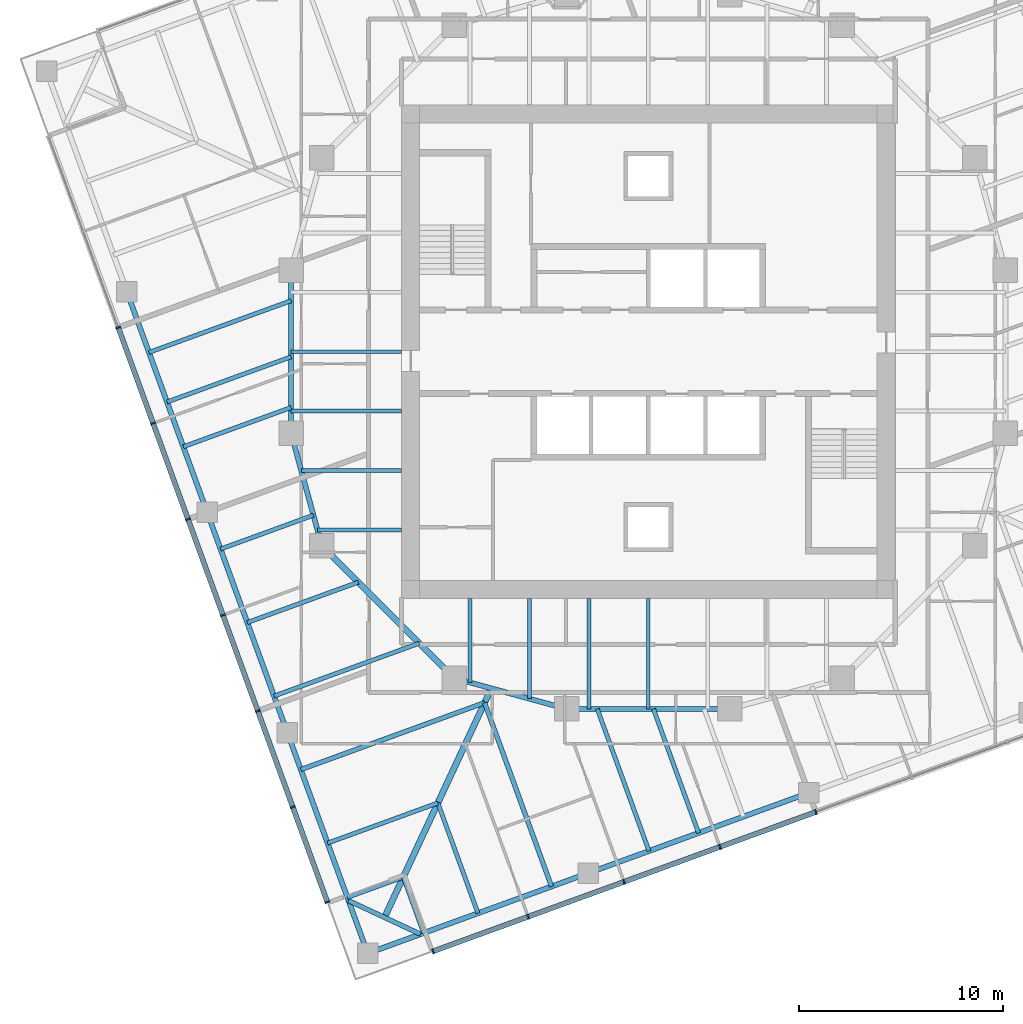
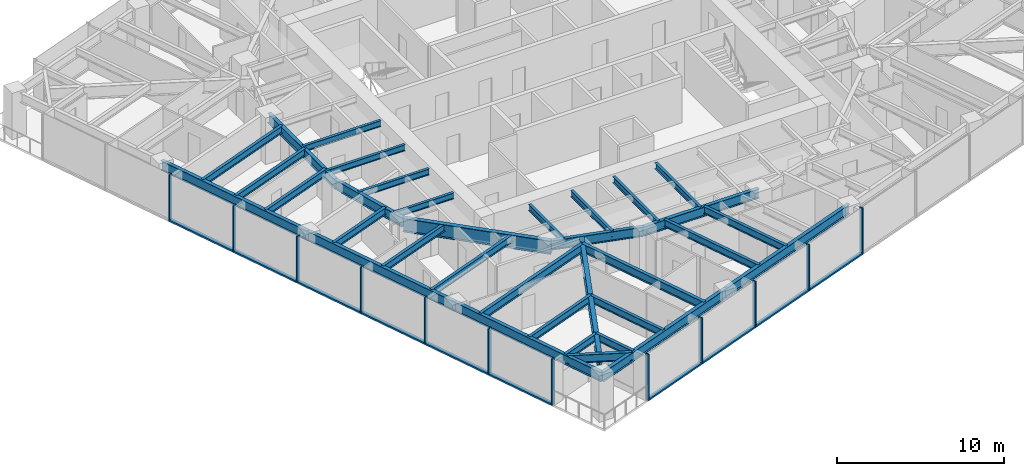
# One storey, part 2 of 13: 34 beams, 22 members, 2 elements without a shape of their own.
"""IFC4 building model written with IfcOpenShell, lengths in metres."""

from ifc_helpers import new_model, si_unit, direction, frame, origin, origin_2d, place, context, subcontext, project, spatial, rectangle, i_section, extrude, material, material_profile, profile_set, type_object, element, aggregate, save


model = new_model("IFC4")

# Units and contexts
model_context = context("Model", 3, precision=1e-05, world=origin(), true_north=direction((0.0, 1.0)))
body_context = subcontext(model_context, "Body", "Model", "MODEL_VIEW")
ifc_project = project(units=[si_unit("LENGTHUNIT", "METRE"), si_unit("AREAUNIT", "SQUARE_METRE"), si_unit("VOLUMEUNIT", "CUBIC_METRE"), si_unit("PLANEANGLEUNIT", "RADIAN"), si_unit("MASSUNIT", "GRAM", prefix="KILO")], contexts=[model_context])

# Site, building, storey
site_placement = place(None, origin())
site = spatial("IfcSite", under=ifc_project, at=site_placement, CompositionType="ELEMENT")
building_placement = place(site_placement, origin())
building = spatial("IfcBuilding", under=site, at=building_placement, Name="Torsade Residences", CompositionType="ELEMENT")
storey_placement = place(building_placement, frame((0.0, 0.0, 150.60009765625)))
storey = spatial("IfcBuildingStorey", under=building, at=storey_placement, Name="L41", CompositionType="ELEMENT", Elevation=150.60009765625)

# Beams
ifc_material_1 = material(Name="Steel grade 300", Category="steel")
ifc_material_profile_1 = material_profile(ifc_material_1, i_section(OverallWidth=0.300048828125, OverallDepth=0.89990234375, WebThickness=0.011962890625, FlangeThickness=0.02490234375, at=origin_2d()), Name="900WB175")
ifc_profile_set_1 = profile_set([ifc_material_profile_1], Name="Steel grade 300")
beam_type_1 = type_object("IfcBeamType", Name="CORNER GIRDER 900WB175", PredefinedType="BEAM", material=ifc_profile_set_1)
beam_1_placement = place(storey_placement, frame((27.075439453125, 2.282958984375, 2.7998046875), z_axis=(0.422616712682, 0.906308509373, 0.0), x_axis=(-0.906308509373, 0.422616712682, 0.0)))
element("IfcBeam", 1, at=beam_1_placement, inside=storey, type_object=beam_type_1, Name="Corner girder 01 L42", PredefinedType="BEAM", context=body_context, shape_type="SweptSolid", body=[
    extrude(i_section(OverallWidth=0.300048828125, OverallDepth=0.89990234375, WebThickness=0.011962890625, FlangeThickness=0.02490234375, at=origin_2d()), origin(), (0.0, 0.0, 1.0), 12.3837890625),
])
ifc_material_2 = material(Name="Steel grade 300", Category="steel")
ifc_material_profile_2 = material_profile(ifc_material_2, i_section(OverallWidth=0.22802734375, OverallDepth=0.60205078125, WebThickness=0.010498046875, FlangeThickness=0.014892578125, FilletRadius=0.013916015625, at=origin_2d()), Name="610UB101")
ifc_profile_set_2 = profile_set([ifc_material_profile_2], Name="Steel grade 300")
beam_type_2 = type_object("IfcBeamType", Name="CORNER TRIMMER 610UB101", PredefinedType="BEAM", material=ifc_profile_set_2)
beam_2_placement = place(storey_placement, frame((28.837646484375, 1.461181640625, 2.948974609375), z_axis=(-0.906309798645, 0.422613947806, 0.0), x_axis=(-0.422613947806, -0.906309798645, 0.0)))
element("IfcBeam", 2, at=beam_2_placement, inside=storey, type_object=beam_type_2, Name="Corner trimmer 01 L42", PredefinedType="BEAM", context=body_context, shape_type="SweptSolid", body=[
    extrude(i_section(OverallWidth=0.22802734375, OverallDepth=0.60205078125, WebThickness=0.010498046875, FlangeThickness=0.014892578125, FilletRadius=0.013916015625, at=origin_2d()), origin(), (0.0, 0.0, 1.0), 3.888916015625),
])
ifc_material_3 = material(Name="Steel grade 300", Category="steel")
ifc_material_profile_3 = material_profile(ifc_material_3, i_section(OverallWidth=0.25, OverallDepth=0.699951171875, WebThickness=0.010009765625, FlangeThickness=0.02001953125, at=origin_2d()), Name="700WB130")
ifc_profile_set_3 = profile_set([ifc_material_profile_3], Name="Steel grade 300")
beam_type_3 = type_object("IfcBeamType", Name="EDGE BEAM 700WB130", PredefinedType="SPANDREL", material=ifc_profile_set_3)
beam_3_placement = place(storey_placement, frame((26.25341796875, 0.5205078125, 2.89990234375), z_axis=(0.93969110915, 0.342024296483, 0.0), x_axis=(-0.342024296483, 0.93969110915, 0.0)))
element("IfcBeam", 3, at=beam_3_placement, inside=storey, type_object=beam_type_3, Name="Edge beam 01 L42", PredefinedType="SPANDREL", context=body_context, shape_type="SweptSolid", body=[
    extrude(i_section(OverallWidth=0.25, OverallDepth=0.699951171875, WebThickness=0.010009765625, FlangeThickness=0.02001953125, at=origin_2d()), origin(), (0.0, 0.0, 1.0), 11.500244140625),
])
for number, where, z_axis, x_axis, name in (
    (4, (37.06005859375, 4.453857421875, 2.89990234375), (0.939695448801, 0.342012373318, 0.0), (-0.342012373318, 0.939695448801, 0.0), "Edge beam 02 L42"),
    (5, (14.453857421875, 32.93994140625, 2.89990234375), (0.342012373318, -0.939695448801, 0.0), (0.939695448801, 0.342012373318, 0.0), "Edge beam 14 L42"),
    (6, (18.386962890625, 22.133544921875, 2.89990234375), (0.342031119628, -0.939688625666, 0.0), (0.939688625666, 0.342031119628, 0.0), "Edge beam 15 L42"),
    (7, (22.3203125, 11.3271484375, 2.89990234375), (0.342005550448, -0.939697932031, 0.0), (0.939697932031, 0.342005550448, 0.0), "Edge beam 16 L42"),
):
    element("IfcBeam", number, at=place(storey_placement, frame(where, z_axis=z_axis, x_axis=x_axis)), inside=storey, type_object=beam_type_3, Name=name, PredefinedType="SPANDREL", context=body_context, shape_type="SweptSolid", body=[
        extrude(i_section(OverallWidth=0.25, OverallDepth=0.699951171875, WebThickness=0.010009765625, FlangeThickness=0.02001953125, at=origin_2d()), origin(), (0.0, 0.0, 1.0), 11.5),
    ])
ifc_material_4 = material(Name="Steel grade 300", Category="steel")
ifc_material_profile_4 = material_profile(ifc_material_4, i_section(OverallWidth=0.18994140625, OverallDepth=0.4541015625, WebThickness=0.008544921875, FlangeThickness=0.0126953125, FilletRadius=0.011474609375, at=origin_2d()), Name="460UB67.1")
ifc_profile_set_4 = profile_set([ifc_material_profile_4], Name="Steel grade 300")
beam_type_4 = type_object("IfcBeamType", Name="INNER FLOOR BEAM 460UB67.1", PredefinedType="JOIST", material=ifc_profile_set_4)
for number, where, z_axis, x_axis, name in (
    (8, (40.0, 17.89990234375, 3.02294921875), (0.0, -1.0, 0.0), (1.0, 0.0, 0.0), "Inner floor beam IS04 L42"),
    (9, (37.08740234375, 17.89990234375, 3.02294921875), (0.0, -1.0, 0.0), (1.0, 0.0, 0.0), "Inner floor beam IS05 L42"),
):
    element("IfcBeam", number, at=place(storey_placement, frame(where, z_axis=z_axis, x_axis=x_axis)), inside=storey, type_object=beam_type_4, Name=name, PredefinedType="JOIST", context=body_context, shape_type="SweptSolid", body=[
        extrude(i_section(OverallWidth=0.18994140625, OverallDepth=0.4541015625, WebThickness=0.008544921875, FlangeThickness=0.0126953125, FilletRadius=0.011474609375, at=origin_2d()), origin(), (0.0, 0.0, 1.0), 5.39990234375),
    ])
beam_4_placement = place(storey_placement, frame((34.175048828125, 17.89990234375, 3.02294921875), z_axis=(0.0, -1.0, 0.0), x_axis=(1.0, 0.0, 0.0)))
element("IfcBeam", 10, at=beam_4_placement, inside=storey, type_object=beam_type_4, Name="Inner floor beam IS06 L42", PredefinedType="JOIST", context=body_context, shape_type="SweptSolid", body=[
    extrude(i_section(OverallWidth=0.18994140625, OverallDepth=0.4541015625, WebThickness=0.008544921875, FlangeThickness=0.0126953125, FilletRadius=0.011474609375, at=origin_2d()), origin(), (0.0, 0.0, 1.0), 4.902099609375),
])
beam_5_placement = place(storey_placement, frame((31.262451171875, 17.89990234375, 3.02294921875), z_axis=(0.0, -1.0, 0.0), x_axis=(1.0, 0.0, 0.0)))
element("IfcBeam", 11, at=beam_5_placement, inside=storey, type_object=beam_type_4, Name="Inner floor beam IS07 L42", PredefinedType="JOIST", context=body_context, shape_type="SweptSolid", body=[
    extrude(i_section(OverallWidth=0.18994140625, OverallDepth=0.4541015625, WebThickness=0.008544921875, FlangeThickness=0.0126953125, FilletRadius=0.011474609375, at=origin_2d()), origin(), (0.0, 0.0, 1.0), 4.10791015625),
])
for number, where, z_axis, x_axis, name in (
    (12, (27.89990234375, 30.0, 3.02294921875), (-1.0, 0.0, 0.0), (0.0, -1.0, 0.0), "Inner floor beam IW04 L42"),
    (13, (27.89990234375, 27.08740234375, 3.02294921875), (-1.0, 0.0, 0.0), (0.0, -1.0, 0.0), "Inner floor beam IW05 L42"),
):
    element("IfcBeam", number, at=place(storey_placement, frame(where, z_axis=z_axis, x_axis=x_axis)), inside=storey, type_object=beam_type_4, Name=name, PredefinedType="JOIST", context=body_context, shape_type="SweptSolid", body=[
        extrude(i_section(OverallWidth=0.18994140625, OverallDepth=0.4541015625, WebThickness=0.008544921875, FlangeThickness=0.0126953125, FilletRadius=0.011474609375, at=origin_2d()), origin(), (0.0, 0.0, 1.0), 5.39990234375),
    ])
beam_6_placement = place(storey_placement, frame((27.89990234375, 24.175048828125, 3.02294921875), z_axis=(-1.0, 0.0, 0.0), x_axis=(0.0, -1.0, 0.0)))
element("IfcBeam", 14, at=beam_6_placement, inside=storey, type_object=beam_type_4, Name="Inner floor beam IW06 L42", PredefinedType="JOIST", context=body_context, shape_type="SweptSolid", body=[
    extrude(i_section(OverallWidth=0.18994140625, OverallDepth=0.4541015625, WebThickness=0.008544921875, FlangeThickness=0.0126953125, FilletRadius=0.011474609375, at=origin_2d()), origin(), (0.0, 0.0, 1.0), 4.902099609375),
])
beam_7_placement = place(storey_placement, frame((27.89990234375, 21.262451171875, 3.02294921875), z_axis=(-1.0, 0.0, 0.0), x_axis=(0.0, -1.0, 0.0)))
element("IfcBeam", 15, at=beam_7_placement, inside=storey, type_object=beam_type_4, Name="Inner floor beam IW07 L42", PredefinedType="JOIST", context=body_context, shape_type="SweptSolid", body=[
    extrude(i_section(OverallWidth=0.18994140625, OverallDepth=0.4541015625, WebThickness=0.008544921875, FlangeThickness=0.0126953125, FilletRadius=0.011474609375, at=origin_2d()), origin(), (0.0, 0.0, 1.0), 4.10791015625),
])

# Curtain wall, members
ifc_material_5 = material(Name="Aluminium and glass", Category="aluminium")
curtain_wall_type = type_object("IfcCurtainWallType", Name="FRITTED GLASS CURTAIN WALL MID ZONE", PredefinedType="NOTDEFINED", material=ifc_material_5)
curtain_wall_1_placement = place(storey_placement, origin())
curtain_wall_1 = element("IfcCurtainWall", 16, at=curtain_wall_1_placement, inside=storey, type_object=curtain_wall_type, Name="Curtain wall L41 face 1", PredefinedType="NOTDEFINED")
ifc_material_6 = material(Name="Aluminium mullion", Category="aluminium")
ifc_material_profile_5 = material_profile(ifc_material_6, rectangle(XDim=0.25, YDim=0.080078125, at=origin_2d()), Name="MID ZONE CURTAIN WALL MULLION 250x80")
ifc_profile_set_5 = profile_set([ifc_material_profile_5], Name="Aluminium mullion")
member_type_1 = type_object("IfcMemberType", Name="MID ZONE CURTAIN WALL MULLION 250x80", PredefinedType="MULLION", material=ifc_profile_set_5)
member_1_placement = place(storey_placement, frame((29.4521484375, 0.62060546875, 0.0), z_axis=(0.0, 0.0, 1.0), x_axis=(-0.342020147869, 0.939692619132, 0.0)))
member_1 = element("IfcMember", 17, at=member_1_placement, type_object=member_type_1, Name="Mullion 1", PredefinedType="MULLION", context=body_context, shape_type="SweptSolid", body=[
    extrude(rectangle(XDim=0.25, YDim=0.080078125, at=origin_2d()), origin(), (0.0, 0.0, 1.0), 3.39990234375),
])
member_2_placement = place(storey_placement, frame((34.113037109375, 2.317138671875, 0.0), z_axis=(0.0, 0.0, 1.0), x_axis=(-0.342020147869, 0.939692619132, 0.0)))
member_2 = element("IfcMember", 18, at=member_2_placement, type_object=member_type_1, Name="Mullion 2", PredefinedType="MULLION", context=body_context, shape_type="SweptSolid", body=[
    extrude(rectangle(XDim=0.25, YDim=0.080078125, at=origin_2d()), origin(), (0.0, 0.0, 1.0), 3.39990234375),
])
member_3_placement = place(storey_placement, frame((38.8115234375, 4.027099609375, 0.0), z_axis=(0.0, 0.0, 1.0), x_axis=(-0.342020147869, 0.939692619132, 0.0)))
member_3 = element("IfcMember", 19, at=member_3_placement, type_object=member_type_1, Name="Mullion 3", PredefinedType="MULLION", context=body_context, shape_type="SweptSolid", body=[
    extrude(rectangle(XDim=0.25, YDim=0.080078125, at=origin_2d()), origin(), (0.0, 0.0, 1.0), 3.39990234375),
])
member_4_placement = place(storey_placement, frame((43.510009765625, 5.7373046875, 0.0), z_axis=(0.0, 0.0, 1.0), x_axis=(-0.342020147869, 0.939692619132, 0.0)))
member_4 = element("IfcMember", 20, at=member_4_placement, type_object=member_type_1, Name="Mullion 4", PredefinedType="MULLION", context=body_context, shape_type="SweptSolid", body=[
    extrude(rectangle(XDim=0.25, YDim=0.080078125, at=origin_2d()), origin(), (0.0, 0.0, 1.0), 3.39990234375),
])
member_5_placement = place(storey_placement, frame((48.20849609375, 7.447265625, 0.0), z_axis=(0.0, 0.0, 1.0), x_axis=(-0.342020147869, 0.939692619132, 0.0)))
member_5 = element("IfcMember", 21, at=member_5_placement, type_object=member_type_1, Name="Mullion 5", PredefinedType="MULLION", context=body_context, shape_type="SweptSolid", body=[
    extrude(rectangle(XDim=0.25, YDim=0.080078125, at=origin_2d()), origin(), (0.0, 0.0, 1.0), 3.39990234375),
])

curtain_wall_2_placement = place(storey_placement, origin())
curtain_wall_2 = element("IfcCurtainWall", 22, at=curtain_wall_2_placement, inside=storey, type_object=curtain_wall_type, Name="Curtain wall L41 face 10", PredefinedType="NOTDEFINED")
member_6_placement = place(storey_placement, frame((14.027099609375, 31.1884765625, 0.0), z_axis=(0.0, 0.0, 1.0), x_axis=(0.939692619132, 0.342020147869, 0.0)))
member_6 = element("IfcMember", 23, at=member_6_placement, type_object=member_type_1, Name="Mullion 3", PredefinedType="MULLION", context=body_context, shape_type="SweptSolid", body=[
    extrude(rectangle(XDim=0.25, YDim=0.080078125, at=origin_2d()), origin(), (0.0, 0.0, 1.0), 3.39990234375),
])
member_7_placement = place(storey_placement, frame((15.7373046875, 26.489990234375, 0.0), z_axis=(0.0, 0.0, 1.0), x_axis=(0.939692619132, 0.342020147869, 0.0)))
member_7 = element("IfcMember", 24, at=member_7_placement, type_object=member_type_1, Name="Mullion 4", PredefinedType="MULLION", context=body_context, shape_type="SweptSolid", body=[
    extrude(rectangle(XDim=0.25, YDim=0.080078125, at=origin_2d()), origin(), (0.0, 0.0, 1.0), 3.39990234375),
])
member_8_placement = place(storey_placement, frame((17.447265625, 21.79150390625, 0.0), z_axis=(0.0, 0.0, 1.0), x_axis=(0.939692619132, 0.342020147869, 0.0)))
member_8 = element("IfcMember", 25, at=member_8_placement, type_object=member_type_1, Name="Mullion 5", PredefinedType="MULLION", context=body_context, shape_type="SweptSolid", body=[
    extrude(rectangle(XDim=0.25, YDim=0.080078125, at=origin_2d()), origin(), (0.0, 0.0, 1.0), 3.39990234375),
])
member_9_placement = place(storey_placement, frame((19.157470703125, 17.093017578125, 0.0), z_axis=(0.0, 0.0, 1.0), x_axis=(0.939692619132, 0.342020147869, 0.0)))
member_9 = element("IfcMember", 26, at=member_9_placement, type_object=member_type_1, Name="Mullion 6", PredefinedType="MULLION", context=body_context, shape_type="SweptSolid", body=[
    extrude(rectangle(XDim=0.25, YDim=0.080078125, at=origin_2d()), origin(), (0.0, 0.0, 1.0), 3.39990234375),
])
member_10_placement = place(storey_placement, frame((20.86767578125, 12.39453125, 0.0), z_axis=(0.0, 0.0, 1.0), x_axis=(0.939692619132, 0.342020147869, 0.0)))
member_10 = element("IfcMember", 27, at=member_10_placement, type_object=member_type_1, Name="Mullion 7", PredefinedType="MULLION", context=body_context, shape_type="SweptSolid", body=[
    extrude(rectangle(XDim=0.25, YDim=0.080078125, at=origin_2d()), origin(), (0.0, 0.0, 1.0), 3.39990234375),
])
member_11_placement = place(storey_placement, frame((22.57763671875, 7.696044921875, 0.0), z_axis=(0.0, 0.0, 1.0), x_axis=(0.939692619132, 0.342020147869, 0.0)))
member_11 = element("IfcMember", 28, at=member_11_placement, type_object=member_type_1, Name="Mullion 8", PredefinedType="MULLION", context=body_context, shape_type="SweptSolid", body=[
    extrude(rectangle(XDim=0.25, YDim=0.080078125, at=origin_2d()), origin(), (0.0, 0.0, 1.0), 3.39990234375),
])
member_12_placement = place(storey_placement, frame((24.274169921875, 3.03515625, 0.0), z_axis=(0.0, 0.0, 1.0), x_axis=(0.939692619132, 0.342020147869, 0.0)))
member_12 = element("IfcMember", 29, at=member_12_placement, type_object=member_type_1, Name="Mullion 9", PredefinedType="MULLION", context=body_context, shape_type="SweptSolid", body=[
    extrude(rectangle(XDim=0.25, YDim=0.080078125, at=origin_2d()), origin(), (0.0, 0.0, 1.0), 3.39990234375),
])

# Member
ifc_material_7 = material(Name="Aluminium transom", Category="aluminium")
ifc_material_profile_6 = material_profile(ifc_material_7, rectangle(XDim=0.25, YDim=0.110107421875, at=origin_2d()), Name="MID ZONE CURTAIN WALL TRANSOM 250x110")
ifc_profile_set_6 = profile_set([ifc_material_profile_6], Name="Aluminium transom")
member_type_2 = type_object("IfcMemberType", Name="MID ZONE CURTAIN WALL TRANSOM 250x110", PredefinedType="USERDEFINED", material=ifc_profile_set_6)
member_13_placement = place(storey_placement, frame((29.48974609375, 0.63427734375, 0.054931640625), z_axis=(0.939683823915, 0.342044311564, 0.0), x_axis=(-0.342044311564, 0.939683823915, 0.0)))
member_13 = element("IfcMember", 30, at=member_13_placement, type_object=member_type_2, Name="Transom 1.1", ObjectType="TRANSOM", PredefinedType="USERDEFINED", context=body_context, shape_type="SweptSolid", body=[
    extrude(rectangle(XDim=0.25, YDim=0.110107421875, at=origin_2d()), origin(), (0.0, 0.0, 1.0), 4.880126953125),
])

member_14_placement = place(storey_placement, frame((34.150634765625, 2.330810546875, 0.054931640625), z_axis=(0.9397006637, 0.341998044792, 0.0), x_axis=(-0.341998044792, 0.9397006637, 0.0)))
member_14 = element("IfcMember", 31, at=member_14_placement, type_object=member_type_2, Name="Transom 2.1", ObjectType="TRANSOM", PredefinedType="USERDEFINED", context=body_context, shape_type="SweptSolid", body=[
    extrude(rectangle(XDim=0.25, YDim=0.110107421875, at=origin_2d()), origin(), (0.0, 0.0, 1.0), 4.919921875),
])

member_15_placement = place(storey_placement, frame((38.84912109375, 4.040771484375, 0.054931640625), z_axis=(0.93968471549, 0.342041862168, 0.0), x_axis=(-0.342041862168, 0.93968471549, 0.0)))
member_15 = element("IfcMember", 32, at=member_15_placement, type_object=member_type_2, Name="Transom 3.1", ObjectType="TRANSOM", PredefinedType="USERDEFINED", context=body_context, shape_type="SweptSolid", body=[
    extrude(rectangle(XDim=0.25, YDim=0.110107421875, at=origin_2d()), origin(), (0.0, 0.0, 1.0), 4.920166015625),
])

member_16_placement = place(storey_placement, frame((43.547607421875, 5.7509765625, 0.054931640625), z_axis=(0.9397006637, 0.341998044792, 0.0), x_axis=(-0.341998044792, 0.9397006637, 0.0)))
member_16 = element("IfcMember", 33, at=member_16_placement, type_object=member_type_2, Name="Transom 4.1", ObjectType="TRANSOM", PredefinedType="USERDEFINED", context=body_context, shape_type="SweptSolid", body=[
    extrude(rectangle(XDim=0.25, YDim=0.110107421875, at=origin_2d()), origin(), (0.0, 0.0, 1.0), 4.919921875),
])

aggregate(curtain_wall_1, [member_1, member_2, member_3, member_4, member_5, member_13, member_14, member_15, member_16])

member_17_placement = place(storey_placement, frame((14.040771484375, 31.15087890625, 0.054931640625), z_axis=(0.342041862168, -0.93968471549, 0.0), x_axis=(0.93968471549, 0.342041862168, 0.0)))
member_17 = element("IfcMember", 34, at=member_17_placement, type_object=member_type_2, Name="Transom 3.1", ObjectType="TRANSOM", PredefinedType="USERDEFINED", context=body_context, shape_type="SweptSolid", body=[
    extrude(rectangle(XDim=0.25, YDim=0.110107421875, at=origin_2d()), origin(), (0.0, 0.0, 1.0), 4.920166015625),
])

member_18_placement = place(storey_placement, frame((15.7509765625, 26.452392578125, 0.054931640625), z_axis=(0.341998044792, -0.9397006637, 0.0), x_axis=(0.9397006637, 0.341998044792, 0.0)))
member_18 = element("IfcMember", 35, at=member_18_placement, type_object=member_type_2, Name="Transom 4.1", ObjectType="TRANSOM", PredefinedType="USERDEFINED", context=body_context, shape_type="SweptSolid", body=[
    extrude(rectangle(XDim=0.25, YDim=0.110107421875, at=origin_2d()), origin(), (0.0, 0.0, 1.0), 4.919921875),
])

member_19_placement = place(storey_placement, frame((17.4609375, 21.75390625, 0.054931640625), z_axis=(0.342041862168, -0.93968471549, 0.0), x_axis=(0.93968471549, 0.342041862168, 0.0)))
member_19 = element("IfcMember", 36, at=member_19_placement, type_object=member_type_2, Name="Transom 5.1", ObjectType="TRANSOM", PredefinedType="USERDEFINED", context=body_context, shape_type="SweptSolid", body=[
    extrude(rectangle(XDim=0.25, YDim=0.110107421875, at=origin_2d()), origin(), (0.0, 0.0, 1.0), 4.920166015625),
])

member_20_placement = place(storey_placement, frame((19.171142578125, 17.055419921875, 0.054931640625), z_axis=(0.342041862168, -0.93968471549, 0.0), x_axis=(0.93968471549, 0.342041862168, 0.0)))
member_20 = element("IfcMember", 37, at=member_20_placement, type_object=member_type_2, Name="Transom 6.1", ObjectType="TRANSOM", PredefinedType="USERDEFINED", context=body_context, shape_type="SweptSolid", body=[
    extrude(rectangle(XDim=0.25, YDim=0.110107421875, at=origin_2d()), origin(), (0.0, 0.0, 1.0), 4.920166015625),
])

member_21_placement = place(storey_placement, frame((20.88134765625, 12.35693359375, 0.054931640625), z_axis=(0.341998044792, -0.9397006637, 0.0), x_axis=(0.9397006637, 0.341998044792, 0.0)))
member_21 = element("IfcMember", 38, at=member_21_placement, type_object=member_type_2, Name="Transom 7.1", ObjectType="TRANSOM", PredefinedType="USERDEFINED", context=body_context, shape_type="SweptSolid", body=[
    extrude(rectangle(XDim=0.25, YDim=0.110107421875, at=origin_2d()), origin(), (0.0, 0.0, 1.0), 4.919921875),
])

member_22_placement = place(storey_placement, frame((22.59130859375, 7.658447265625, 0.054931640625), z_axis=(0.342044311564, -0.939683823915, 0.0), x_axis=(0.939683823915, 0.342044311564, 0.0)))
member_22 = element("IfcMember", 39, at=member_22_placement, type_object=member_type_2, Name="Transom 8.1", ObjectType="TRANSOM", PredefinedType="USERDEFINED", context=body_context, shape_type="SweptSolid", body=[
    extrude(rectangle(XDim=0.25, YDim=0.110107421875, at=origin_2d()), origin(), (0.0, 0.0, 1.0), 4.880126953125),
])

aggregate(curtain_wall_2, [member_6, member_7, member_8, member_9, member_10, member_11, member_12, member_17, member_18, member_19, member_20, member_21, member_22])

# Beams
ifc_material_8 = material(Name="Steel grade 300", Category="steel")
ifc_material_profile_7 = material_profile(ifc_material_8, i_section(OverallWidth=0.300048828125, OverallDepth=1.0, WebThickness=0.01611328125, FlangeThickness=0.028076171875, at=origin_2d()), Name="1000WB215")
ifc_profile_set_7 = profile_set([ifc_material_profile_7], Name="Steel grade 300")
beam_type_5 = type_object("IfcBeamType", Name="RING CORNER GIRDER 1000WB215", PredefinedType="BEAM", material=ifc_profile_set_7)
beam_8_placement = place(storey_placement, frame((24.0, 20.5, 2.75), z_axis=(0.707106781187, -0.707106781187, 0.0), x_axis=(0.707106781187, 0.707106781187, 0.0)))
element("IfcBeam", 40, at=beam_8_placement, inside=storey, type_object=beam_type_5, Name="Ring girder IR11 L42", PredefinedType="BEAM", context=body_context, shape_type="SweptSolid", body=[
    extrude(i_section(OverallWidth=0.300048828125, OverallDepth=1.0, WebThickness=0.01611328125, FlangeThickness=0.028076171875, at=origin_2d()), origin(), (0.0, 0.0, 1.0), 9.1923828125),
])
ifc_material_9 = material(Name="Steel grade 300", Category="steel")
ifc_material_profile_8 = material_profile(ifc_material_9, i_section(OverallWidth=0.25, OverallDepth=0.699951171875, WebThickness=0.010009765625, FlangeThickness=0.02001953125, at=origin_2d()), Name="700WB130")
ifc_profile_set_8 = profile_set([ifc_material_profile_8], Name="Steel grade 300")
beam_type_6 = type_object("IfcBeamType", Name="RING GIRDER 700WB130", PredefinedType="BEAM", material=ifc_profile_set_8)
beam_9_placement = place(storey_placement, frame((22.5, 34.0, 2.89990234375), z_axis=(0.0, -1.0, 0.0), x_axis=(1.0, 0.0, 0.0)))
element("IfcBeam", 41, at=beam_9_placement, inside=storey, type_object=beam_type_6, Name="Ring girder IR09 L42", PredefinedType="BEAM", context=body_context, shape_type="SweptSolid", body=[
    extrude(i_section(OverallWidth=0.25, OverallDepth=0.699951171875, WebThickness=0.010009765625, FlangeThickness=0.02001953125, at=origin_2d()), origin(), (0.0, 0.0, 1.0), 8.0),
])
for number, where, z_axis, x_axis, name in (
    (42, (22.5, 26.0, 2.89990234375), (0.263117405792, -0.964763821238, 0.0), (0.964763821238, 0.263117405792, 0.0), "Ring girder IR10 L42"),
    (43, (30.5, 14.0, 2.89990234375), (0.964763821238, -0.263117405792, 0.0), (0.263117405792, 0.964763821238, 0.0), "Ring girder IR12 L42"),
):
    element("IfcBeam", number, at=place(storey_placement, frame(where, z_axis=z_axis, x_axis=x_axis)), inside=storey, type_object=beam_type_6, Name=name, PredefinedType="BEAM", context=body_context, shape_type="SweptSolid", body=[
        extrude(i_section(OverallWidth=0.25, OverallDepth=0.699951171875, WebThickness=0.010009765625, FlangeThickness=0.02001953125, at=origin_2d()), origin(), (0.0, 0.0, 1.0), 5.700927734375),
    ])
beam_10_placement = place(storey_placement, frame((36.0, 12.5, 2.89990234375), z_axis=(1.0, 0.0, 0.0), x_axis=(0.0, 1.0, 0.0)))
element("IfcBeam", 44, at=beam_10_placement, inside=storey, type_object=beam_type_6, Name="Ring girder IR13 L42", PredefinedType="BEAM", context=body_context, shape_type="SweptSolid", body=[
    extrude(i_section(OverallWidth=0.25, OverallDepth=0.699951171875, WebThickness=0.010009765625, FlangeThickness=0.02001953125, at=origin_2d()), origin(), (0.0, 0.0, 1.0), 8.0),
])
ifc_material_10 = material(Name="Steel grade 300", Category="steel")
ifc_material_profile_9 = material_profile(ifc_material_10, i_section(OverallWidth=0.208984375, OverallDepth=0.528076171875, WebThickness=0.009521484375, FlangeThickness=0.01318359375, FilletRadius=0.013916015625, at=origin_2d()), Name="530UB82.0")
ifc_profile_set_9 = profile_set([ifc_material_profile_9], Name="Steel grade 300")
beam_type_7 = type_object("IfcBeamType", Name="SECONDARY BEAM 530UB82.0", PredefinedType="JOIST", material=ifc_profile_set_9)
beam_11_placement = place(storey_placement, frame((28.994384765625, 1.51806640625, 2.98583984375), z_axis=(-0.341998427281, 0.939700524495, 0.0), x_axis=(-0.939700524495, -0.341998427281, 0.0)))
element("IfcBeam", 45, at=beam_11_placement, inside=storey, type_object=beam_type_7, Name="Floor beam FS01 L42", PredefinedType="JOIST", context=body_context, shape_type="SweptSolid", body=[
    extrude(i_section(OverallWidth=0.208984375, OverallDepth=0.528076171875, WebThickness=0.009521484375, FlangeThickness=0.01318359375, FilletRadius=0.013916015625, at=origin_2d()), origin(), (0.0, 0.0, 1.0), 2.916748046875),
])
beam_12_placement = place(storey_placement, frame((31.65673828125, 2.4873046875, 2.98583984375), z_axis=(-0.342019196443, 0.939692965423, 0.0), x_axis=(-0.939692965423, -0.342019196443, 0.0)))
element("IfcBeam", 46, at=beam_12_placement, inside=storey, type_object=beam_type_7, Name="Floor beam FS02 L42", PredefinedType="JOIST", context=body_context, shape_type="SweptSolid", body=[
    extrude(i_section(OverallWidth=0.208984375, OverallDepth=0.528076171875, WebThickness=0.009521484375, FlangeThickness=0.01318359375, FilletRadius=0.013916015625, at=origin_2d()), origin(), (0.0, 0.0, 1.0), 5.749755859375),
])
beam_13_placement = place(storey_placement, frame((40.03564453125, 5.536865234375, 2.98583984375), z_axis=(-0.342026105929, 0.939690450554, 0.0), x_axis=(-0.939690450554, -0.342026105929, 0.0)))
element("IfcBeam", 47, at=beam_13_placement, inside=storey, type_object=beam_type_7, Name="Floor beam FS04 L42", PredefinedType="JOIST", context=body_context, shape_type="SweptSolid", body=[
    extrude(i_section(OverallWidth=0.208984375, OverallDepth=0.528076171875, WebThickness=0.009521484375, FlangeThickness=0.01318359375, FilletRadius=0.013916015625, at=origin_2d()), origin(), (0.0, 0.0, 1.0), 7.409912109375),
])
beam_14_placement = place(storey_placement, frame((42.463134765625, 6.42041015625, 2.98583984375), z_axis=(-0.342000590983, 0.939699737026, 0.0), x_axis=(-0.939699737026, -0.342000590983, 0.0)))
element("IfcBeam", 48, at=beam_14_placement, inside=storey, type_object=beam_type_7, Name="Floor beam FS05 L42", PredefinedType="JOIST", context=body_context, shape_type="SweptSolid", body=[
    extrude(i_section(OverallWidth=0.208984375, OverallDepth=0.528076171875, WebThickness=0.009521484375, FlangeThickness=0.01318359375, FilletRadius=0.013916015625, at=origin_2d()), origin(), (0.0, 0.0, 1.0), 6.4697265625),
])
beam_15_placement = place(storey_placement, frame((15.536865234375, 29.96435546875, 2.98583984375), z_axis=(0.939690450554, 0.342026105929, 0.0), x_axis=(-0.342026105929, 0.939690450554, 0.0)))
element("IfcBeam", 49, at=beam_15_placement, inside=storey, type_object=beam_type_7, Name="Floor beam FW04 L42", PredefinedType="JOIST", context=body_context, shape_type="SweptSolid", body=[
    extrude(i_section(OverallWidth=0.208984375, OverallDepth=0.528076171875, WebThickness=0.009521484375, FlangeThickness=0.01318359375, FilletRadius=0.013916015625, at=origin_2d()), origin(), (0.0, 0.0, 1.0), 7.409912109375),
])
beam_16_placement = place(storey_placement, frame((16.42041015625, 27.536865234375, 2.98583984375), z_axis=(0.939699737026, 0.342000590983, 0.0), x_axis=(-0.342000590983, 0.939699737026, 0.0)))
element("IfcBeam", 50, at=beam_16_placement, inside=storey, type_object=beam_type_7, Name="Floor beam FW05 L42", PredefinedType="JOIST", context=body_context, shape_type="SweptSolid", body=[
    extrude(i_section(OverallWidth=0.208984375, OverallDepth=0.528076171875, WebThickness=0.009521484375, FlangeThickness=0.01318359375, FilletRadius=0.013916015625, at=origin_2d()), origin(), (0.0, 0.0, 1.0), 6.4697265625),
])
beam_17_placement = place(storey_placement, frame((17.218505859375, 25.34423828125, 2.98583984375), z_axis=(0.939703343336, 0.341990681925, 0.0), x_axis=(-0.341990681925, 0.939703343336, 0.0)))
element("IfcBeam", 51, at=beam_17_placement, inside=storey, type_object=beam_type_7, Name="Floor beam FW06 L42", PredefinedType="JOIST", context=body_context, shape_type="SweptSolid", body=[
    extrude(i_section(OverallWidth=0.208984375, OverallDepth=0.528076171875, WebThickness=0.009521484375, FlangeThickness=0.01318359375, FilletRadius=0.013916015625, at=origin_2d()), origin(), (0.0, 0.0, 1.0), 5.620361328125),
])
beam_18_placement = place(storey_placement, frame((19.042724609375, 20.33251953125, 2.98583984375), z_axis=(0.939694777187, 0.342014218604, 0.0), x_axis=(-0.342014218604, 0.939694777187, 0.0)))
element("IfcBeam", 52, at=beam_18_placement, inside=storey, type_object=beam_type_7, Name="Floor beam FW07 L42", PredefinedType="JOIST", context=body_context, shape_type="SweptSolid", body=[
    extrude(i_section(OverallWidth=0.208984375, OverallDepth=0.528076171875, WebThickness=0.009521484375, FlangeThickness=0.01318359375, FilletRadius=0.013916015625, at=origin_2d()), origin(), (0.0, 0.0, 1.0), 4.84326171875),
])
beam_19_placement = place(storey_placement, frame((20.353759765625, 16.730224609375, 2.98583984375), z_axis=(0.939687428295, 0.342034409239, 0.0), x_axis=(-0.342034409239, 0.939687428295, 0.0)))
element("IfcBeam", 53, at=beam_19_placement, inside=storey, type_object=beam_type_7, Name="Floor beam FW08 L42", PredefinedType="JOIST", context=body_context, shape_type="SweptSolid", body=[
    extrude(i_section(OverallWidth=0.208984375, OverallDepth=0.528076171875, WebThickness=0.009521484375, FlangeThickness=0.01318359375, FilletRadius=0.013916015625, at=origin_2d()), origin(), (0.0, 0.0, 1.0), 5.785888671875),
])
beam_20_placement = place(storey_placement, frame((21.664794921875, 13.128173828125, 2.98583984375), z_axis=(0.939689847531, 0.342027762686, 0.0), x_axis=(-0.342027762686, 0.939689847531, 0.0)))
element("IfcBeam", 54, at=beam_20_placement, inside=storey, type_object=beam_type_7, Name="Floor beam FW09 L42", PredefinedType="JOIST", context=body_context, shape_type="SweptSolid", body=[
    extrude(i_section(OverallWidth=0.208984375, OverallDepth=0.528076171875, WebThickness=0.009521484375, FlangeThickness=0.01318359375, FilletRadius=0.013916015625, at=origin_2d()), origin(), (0.0, 0.0, 1.0), 7.573486328125),
])
beam_21_placement = place(storey_placement, frame((24.286865234375, 5.923828125, 2.98583984375), z_axis=(0.939697932031, 0.342005550448, 0.0), x_axis=(-0.342005550448, 0.939697932031, 0.0)))
element("IfcBeam", 55, at=beam_21_placement, inside=storey, type_object=beam_type_7, Name="Floor beam FW11 L42", PredefinedType="JOIST", context=body_context, shape_type="SweptSolid", body=[
    extrude(i_section(OverallWidth=0.208984375, OverallDepth=0.528076171875, WebThickness=0.009521484375, FlangeThickness=0.01318359375, FilletRadius=0.013916015625, at=origin_2d()), origin(), (0.0, 0.0, 1.0), 5.75),
])
beam_22_placement = place(storey_placement, frame((25.255859375, 3.261474609375, 2.98583984375), z_axis=(0.939700524495, 0.341998427281, 0.0), x_axis=(-0.341998427281, 0.939700524495, 0.0)))
element("IfcBeam", 56, at=beam_22_placement, inside=storey, type_object=beam_type_7, Name="Floor beam FW12 L42", PredefinedType="JOIST", context=body_context, shape_type="SweptSolid", body=[
    extrude(i_section(OverallWidth=0.208984375, OverallDepth=0.528076171875, WebThickness=0.009521484375, FlangeThickness=0.01318359375, FilletRadius=0.013916015625, at=origin_2d()), origin(), (0.0, 0.0, 1.0), 2.916748046875),
])
ifc_material_11 = material(Name="Steel grade 300", Category="steel")
ifc_material_profile_10 = material_profile(ifc_material_11, i_section(OverallWidth=0.22900390625, OverallDepth=0.612060546875, WebThickness=0.011962890625, FlangeThickness=0.01953125, FilletRadius=0.013916015625, at=origin_2d()), Name="610UB125")
ifc_profile_set_10 = profile_set([ifc_material_profile_10], Name="Steel grade 300")
beam_type_8 = type_object("IfcBeamType", Name="SECONDARY BEAM 610UB125", PredefinedType="JOIST", material=ifc_profile_set_10)
for number, where, z_axis, x_axis, name in (
    (57, (35.259033203125, 3.79833984375, 2.94384765625), (-0.342033504181, 0.939687757725, 0.0), (-0.939687757725, -0.342033504181, 0.0), "Floor beam FS03 L42"),
    (58, (22.975830078125, 9.52587890625, 2.94384765625), (0.939687757725, 0.342033504181, 0.0), (-0.342033504181, 0.939687757725, 0.0), "Floor beam FW10 L42"),
):
    element("IfcBeam", number, at=place(storey_placement, frame(where, z_axis=z_axis, x_axis=x_axis)), inside=storey, type_object=beam_type_8, Name=name, PredefinedType="JOIST", context=body_context, shape_type="SweptSolid", body=[
        extrude(i_section(OverallWidth=0.22900390625, OverallDepth=0.612060546875, WebThickness=0.011962890625, FlangeThickness=0.01953125, FilletRadius=0.013916015625, at=origin_2d()), origin(), (0.0, 0.0, 1.0), 9.583251953125),
    ])

save(model, "model.ifc")
